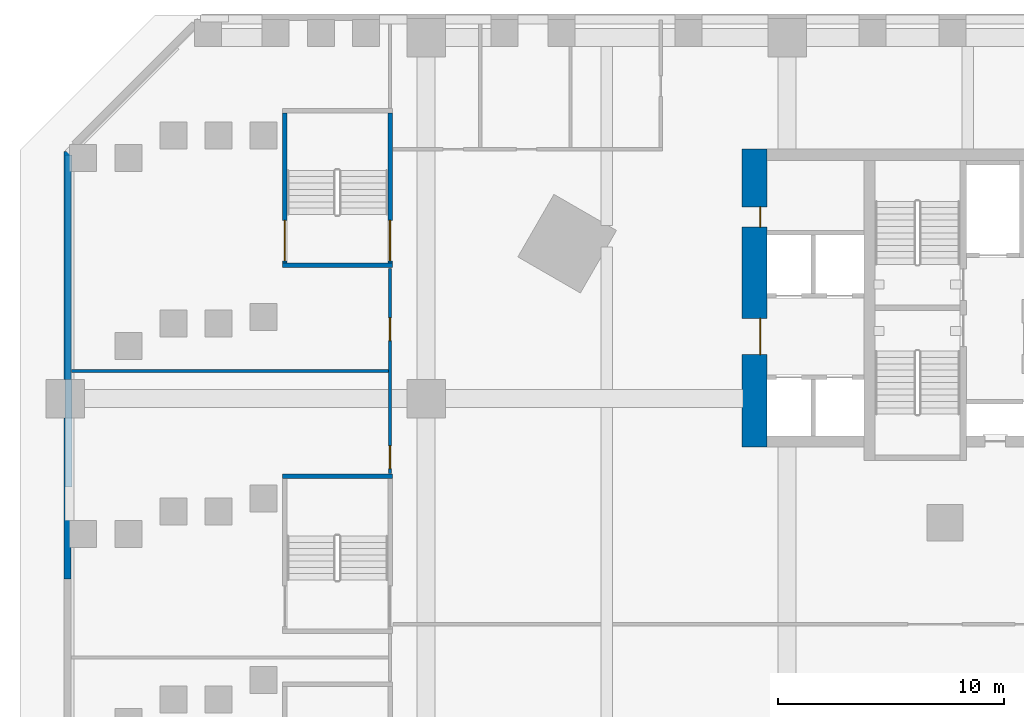
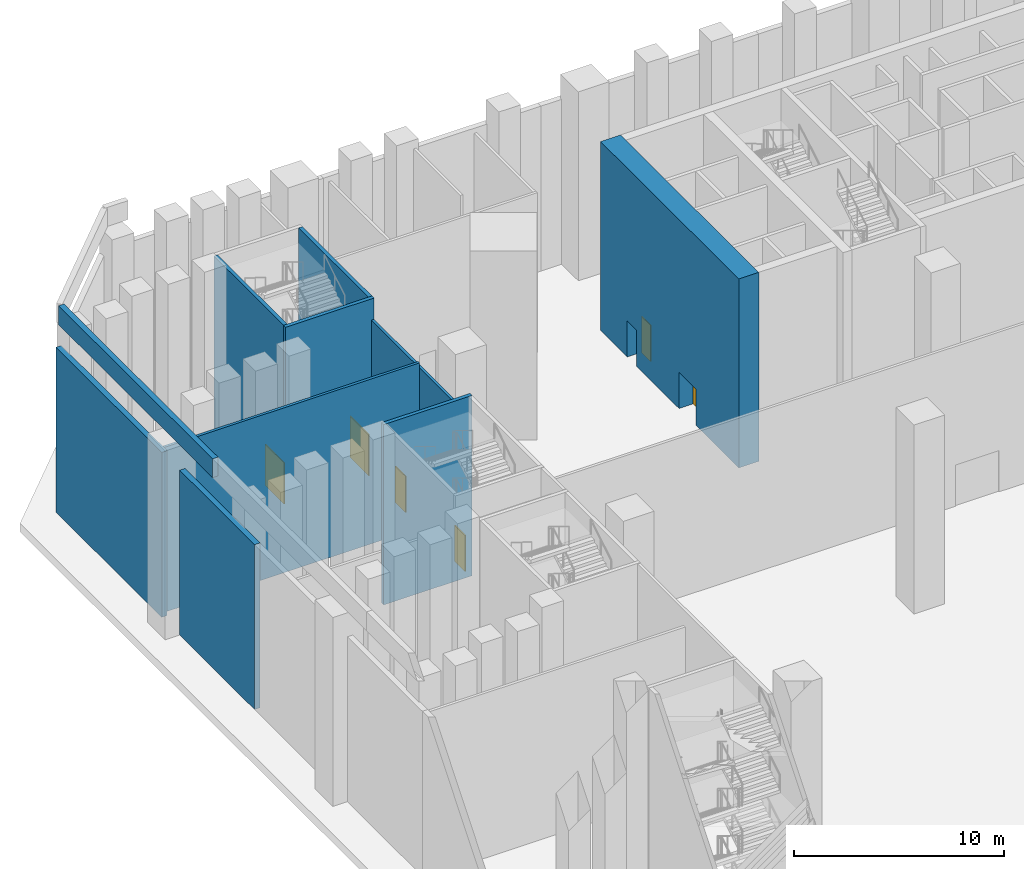
# One storey, part 7 of 31: 10 walls, 6 doors, 6 openings.
"""IFC4 building model written with IfcOpenShell, lengths in metres."""

from ifc_helpers import new_model, si_unit, direction, frame, frame_2d, origin, place, context, subcontext, project, spatial, rectangle, extrude, material, layer, layer_set, type_object, element, fill, save


model = new_model("IFC4")

# Units and contexts
model_context = context("Model", 3, precision=1e-05, world=origin(), true_north=direction((0.0, 1.0)))
body_context = subcontext(model_context, "Body", "Model", "MODEL_VIEW")
ifc_project = project(units=[si_unit("LENGTHUNIT", "METRE"), si_unit("AREAUNIT", "SQUARE_METRE"), si_unit("VOLUMEUNIT", "CUBIC_METRE"), si_unit("PLANEANGLEUNIT", "RADIAN"), si_unit("MASSUNIT", "GRAM", prefix="KILO")], contexts=[model_context])

# Site, building, storey
site_placement = place(None, origin())
site = spatial("IfcSite", under=ifc_project, at=site_placement, CompositionType="ELEMENT")
building_placement = place(site_placement, origin())
building = spatial("IfcBuilding", under=site, at=building_placement, Name="Calabash Gate Tower", CompositionType="ELEMENT")
storey_placement = place(building_placement, frame((0.0, 0.0, 9.0)))
storey = spatial("IfcBuildingStorey", under=building, at=storey_placement, Name="L01", CompositionType="ELEMENT", Elevation=9.0)

# Wall, openings, doors
ifc_material_1 = material(Name="Concrete C80/95", Category="concrete")
ifc_layer_1 = layer(ifc_material_1, 1.10009765625)
ifc_layer_set_1 = layer_set([ifc_layer_1], Name="Core wall 1100 Concrete C80/95")
wall_type_1 = type_object("IfcWallType", Name="Core wall 1100 Concrete C80/95", PredefinedType="SHEAR", material=ifc_layer_set_1)
wall_1_placement = place(storey_placement, frame((-17.449951171875, 5.8525390625, 0.0), z_axis=(0.0, 0.0, 1.0), x_axis=(0.0, 1.0, 0.0)))
wall_1 = element("IfcWall", 1, at=wall_1_placement, inside=storey, type_object=wall_type_1, Name="Core wall Z0-ENDW L01", PredefinedType="SHEAR", context=body_context, shape_type="SweptSolid", body=[
    extrude(rectangle(XDim=13.199951171875, YDim=1.10009765625, at=frame_2d((6.60009765625, 0.0))), origin(), (0.0, 0.0, 1.0), 11.0),
])
opening_1_placement = place(wall_1_placement, frame((4.10009765625, 0.0, 0.0)))
opening_1 = element("IfcOpeningElement", 2, at=opening_1_placement, cuts=wall_1, Name="Opening L01-014", PredefinedType="OPENING", context=body_context, shape_type="SweptSolid", body=[
    extrude(rectangle(XDim=1.60009765625, YDim=2.10009765625, at=frame_2d((0.800048828125, 1.050048828125))), frame((0.0, 0.56005859375, 0.0), z_axis=(0.0, -1.0, 0.0), x_axis=(1.0, 0.0, 0.0)), (0.0, 0.0, 1.0), 1.1201171875),
])
opening_2_placement = place(wall_1_placement, frame((9.75, 0.0, 0.0)))
opening_2 = element("IfcOpeningElement", 3, at=opening_2_placement, cuts=wall_1, Name="Opening L01-015", PredefinedType="OPENING", context=body_context, shape_type="SweptSolid", body=[
    extrude(rectangle(XDim=0.89990234375, YDim=2.10009765625, at=frame_2d((0.449951171875, 1.050048828125))), frame((0.0, 0.56005859375, 0.0), z_axis=(0.0, -1.0, 0.0), x_axis=(1.0, 0.0, 0.0)), (0.0, 0.0, 1.0), 1.1201171875),
])
ifc_material_2 = material(Name="Steel fire door set with fire-resisting glazing", Category="steel")
door_type_1 = type_object("IfcDoorType", Name="Double fire door D08 1600x2100 FD60", OperationType="DOUBLE_DOOR_SINGLE_SWING", PredefinedType="DOOR", material=ifc_material_2)
door_1_placement = place(opening_1_placement, origin())
door_1 = element("IfcDoor", 4, at=door_1_placement, inside=storey, type_object=door_type_1, Name="Low-rise Lift Lobby W door", OperationType="DOUBLE_DOOR_SINGLE_SWING", OverallHeight=2.10009765625, OverallWidth=1.60009765625, PredefinedType="DOOR", context=body_context, shape_type="SweptSolid", body=[
    extrude(rectangle(XDim=1.60009765625, YDim=2.10009765625, at=frame_2d((0.800048828125, 1.050048828125))), frame((0.0, -0.22509765625, 0.0), z_axis=(0.0, -1.0, 0.0), x_axis=(1.0, 0.0, 0.0)), (0.0, 0.0, 1.0), 0.050048828125),
])
fill(opening_1, door_1)
ifc_material_3 = material(Name="Steel fire door set with fire-resisting glazing", Category="steel")
door_type_2 = type_object("IfcDoorType", Name="Fire door D06 900x2100 FD60", OperationType="NOTDEFINED", PredefinedType="DOOR", material=ifc_material_3)
door_2_placement = place(opening_2_placement, origin())
door_2 = element("IfcDoor", 5, at=door_2_placement, inside=storey, type_object=door_type_2, Name="Meter Room door", OperationType="SINGLE_SWING_RIGHT", OverallHeight=2.10009765625, OverallWidth=0.89990234375, PredefinedType="DOOR", context=body_context, shape_type="SweptSolid", body=[
    extrude(rectangle(XDim=0.89990234375, YDim=2.10009765625, at=frame_2d((0.449951171875, 1.050048828125))), frame((0.0, -0.22509765625, 0.0), z_axis=(0.0, -1.0, 0.0), x_axis=(1.0, 0.0, 0.0)), (0.0, 0.0, 1.0), 0.050048828125),
])
fill(opening_2, door_2)

ifc_material_4 = material(Name="Gypsum board on steel studs, mineral wool", Category="steel")
ifc_layer_2 = layer(ifc_material_4, 0.14990234375)
ifc_layer_set_2 = layer_set([ifc_layer_2], Name="Partition 150 gypsum board")
wall_type_2 = type_object("IfcWallType", Name="Partition 150 gypsum board", PredefinedType="PARTITIONING", material=ifc_layer_set_2)
wall_2_placement = place(storey_placement, frame((-33.60009765625, 4.68994140625, 0.0), z_axis=(0.0, 0.0, 1.0), x_axis=(0.0, 1.0, 0.0)))
wall_2 = element("IfcWall", 6, at=wall_2_placement, inside=storey, type_object=wall_type_2, Name="Partition", PredefinedType="PARTITIONING", context=body_context, shape_type="SweptSolid", body=[
    extrude(rectangle(XDim=9.070068359375, YDim=0.14990234375, at=frame_2d((4.53515625, 0.0))), origin(), (0.0, 0.0, 1.0), 9.300048828125),
])
opening_3_placement = place(wall_2_placement, frame((0.2109375, 0.0, 0.0)))
opening_3 = element("IfcOpeningElement", 7, at=opening_3_placement, cuts=wall_2, Name="Opening L01-051", PredefinedType="OPENING", context=body_context, shape_type="SweptSolid", body=[
    extrude(rectangle(XDim=1.0, YDim=2.10009765625, at=frame_2d((0.5, 1.050048828125))), frame((0.0, 0.0849609375, 0.0), z_axis=(0.0, -1.0, 0.0), x_axis=(1.0, 0.0, 0.0)), (0.0, 0.0, 1.0), 0.169921875),
])
opening_4_placement = place(wall_2_placement, frame((5.885009765625, 0.0, 0.0)))
opening_4 = element("IfcOpeningElement", 8, at=opening_4_placement, cuts=wall_2, Name="Opening L01-052", PredefinedType="OPENING", context=body_context, shape_type="SweptSolid", body=[
    extrude(rectangle(XDim=1.0, YDim=2.10009765625, at=frame_2d((0.5, 1.050048828125))), frame((0.0, 0.0849609375, 0.0), z_axis=(0.0, -1.0, 0.0), x_axis=(1.0, 0.0, 0.0)), (0.0, 0.0, 1.0), 0.169921875),
])
ifc_material_5 = material(Name="Steel fire door set with fire-resisting glazing", Category="steel")
door_type_3 = type_object("IfcDoorType", Name="Fire door D11 1000x2100 FD60", OperationType="NOTDEFINED", PredefinedType="DOOR", material=ifc_material_5)
door_3_placement = place(opening_3_placement, origin())
door_3 = element("IfcDoor", 9, at=door_3_placement, inside=storey, type_object=door_type_3, Name="Show Control Room door", OperationType="SINGLE_SWING_LEFT", OverallHeight=2.10009765625, OverallWidth=1.0, PredefinedType="DOOR", context=body_context, shape_type="SweptSolid", body=[
    extrude(rectangle(XDim=1.0, YDim=2.10009765625, at=frame_2d((0.5, 1.050048828125))), frame((0.0, 0.02490234375, 0.0), z_axis=(0.0, -1.0, 0.0), x_axis=(1.0, 0.0, 0.0)), (0.0, 0.0, 1.0), 0.050048828125),
])
fill(opening_3, door_3)
door_4_placement = place(opening_4_placement, origin())
door_4 = element("IfcDoor", 10, at=door_4_placement, inside=storey, type_object=door_type_3, Name="Exhibitor Services Office door", OperationType="SINGLE_SWING_LEFT", OverallHeight=2.10009765625, OverallWidth=1.0, PredefinedType="DOOR", context=body_context, shape_type="SweptSolid", body=[
    extrude(rectangle(XDim=1.0, YDim=2.10009765625, at=frame_2d((0.5, 1.050048828125))), frame((0.0, 0.02490234375, 0.0), z_axis=(0.0, -1.0, 0.0), x_axis=(1.0, 0.0, 0.0)), (0.0, 0.0, 1.0), 0.050048828125),
])
fill(opening_4, door_4)

# Walls
wall_3_placement = place(storey_placement, frame((-47.719970703125, 9.22509765625, 0.0), z_axis=(0.0, 0.0, 1.0), x_axis=(1.0, 0.0, 0.0)))
element("IfcWall", 11, at=wall_3_placement, inside=storey, type_object=wall_type_2, Name="Partition", PredefinedType="PARTITIONING", context=body_context, shape_type="SweptSolid", body=[
    extrude(rectangle(XDim=14.044921875, YDim=0.14990234375, at=frame_2d((7.0224609375, 0.0))), origin(), (0.0, 0.0, 1.0), 9.60009765625),
])
ifc_material_6 = material(Name="Terracotta brick masonry, exposed face", Category="masonry")
ifc_layer_3 = layer(ifc_material_6, 0.300048828125)
ifc_layer_set_3 = layer_set([ifc_layer_3], Name="Podium brick wall 300")
wall_type_3 = type_object("IfcWallType", Name="Podium brick wall 300", PredefinedType="SOLIDWALL", material=ifc_layer_set_3)
wall_4_placement = place(storey_placement, frame((-47.89990234375, 18.949951171875, 0.0), z_axis=(0.0, 0.0, 1.0), x_axis=(0.0, -1.0, 0.0)))
element("IfcWall", 12, at=wall_4_placement, inside=storey, type_object=wall_type_3, Name="Podium brick wall L01 6.0.0", PredefinedType="SOLIDWALL", context=body_context, shape_type="SweptSolid", body=[
    extrude(rectangle(XDim=10.097900390625, YDim=0.300048828125, at=frame_2d((5.048828125, 0.0))), origin(), (0.0, 0.0, 1.0), 9.60009765625),
])
wall_5_placement = place(storey_placement, frame((-47.89990234375, 7.14794921875, 0.0), z_axis=(0.0, 0.0, 1.0), x_axis=(0.0, -1.0, 0.0)))
element("IfcWall", 13, at=wall_5_placement, inside=storey, type_object=wall_type_3, Name="Podium brick wall L01 6.1.0", PredefinedType="SOLIDWALL", context=body_context, shape_type="SweptSolid", body=[
    extrude(rectangle(XDim=7.14794921875, YDim=0.300048828125, at=frame_2d((3.573974609375, 0.0))), origin(), (0.0, 0.0, 1.0), 9.60009765625),
])
ifc_material_7 = material(Name="Terracotta brick masonry, exposed face", Category="masonry")
ifc_layer_4 = layer(ifc_material_7, 0.300048828125)
ifc_layer_set_4 = layer_set([ifc_layer_4], Name="Podium parapet wall 300")
wall_type_4 = type_object("IfcWallType", Name="Podium parapet wall 300", PredefinedType="PARAPET", material=ifc_layer_set_4)
wall_6_placement = place(storey_placement, frame((-47.85009765625, 18.7900390625, 11.0), z_axis=(0.0, 0.0, 1.0), x_axis=(0.0, -1.0, 0.0)))
element("IfcWall", 14, at=wall_6_placement, inside=storey, type_object=wall_type_4, Name="Podium parapet L01 6.0.0", PredefinedType="PARAPET", context=body_context, shape_type="SweptSolid", body=[
    extrude(rectangle(XDim=14.697509765625, YDim=0.300048828125, at=frame_2d((7.3486328125, 0.0))), origin(), (0.0, 0.0, 1.0), 1.10009765625),
])
ifc_material_8 = material(Name="Concrete C40/50", Category="concrete")
ifc_layer_5 = layer(ifc_material_8, 0.199951171875)
ifc_layer_set_5 = layer_set([ifc_layer_5], Name="Stair wall 200 Concrete C40/50")
wall_type_5 = type_object("IfcWallType", Name="Stair wall 200 Concrete C40/50", PredefinedType="SOLIDWALL", material=ifc_layer_set_5)
for number, where, z_axis, x_axis, name in (
    (15, (-38.3701171875, 4.550048828125, 0.0), (0.0, 0.0, 1.0), (1.0, 0.0, 0.0), "Stair wall"),
    (16, (-38.3701171875, 13.89990234375, 0.0), (0.0, 0.0, 1.0), (1.0, 0.0, 0.0), "Stair wall"),
):
    element("IfcWall", number, at=place(storey_placement, frame(where, z_axis=z_axis, x_axis=x_axis)), inside=storey, type_object=wall_type_5, Name=name, PredefinedType="SOLIDWALL", context=body_context, shape_type="SweptSolid", body=[
        extrude(rectangle(XDim=4.8701171875, YDim=0.199951171875, at=frame_2d((2.43505859375, 0.0))), origin(), (0.0, 0.0, 1.0), 10.5),
    ])

# Wall, opening, door
wall_7_placement = place(storey_placement, frame((-38.27001953125, 14.0, 0.0), z_axis=(0.0, 0.0, 1.0), x_axis=(0.0, 1.0, 0.0)))
wall_7 = element("IfcWall", 17, at=wall_7_placement, inside=storey, type_object=wall_type_5, Name="Stair wall", PredefinedType="SOLIDWALL", context=body_context, shape_type="SweptSolid", body=[
    extrude(rectangle(XDim=6.64990234375, YDim=0.199951171875, at=frame_2d((3.324951171875, 0.0))), origin(), (0.0, 0.0, 1.0), 10.5),
])
opening_5_placement = place(wall_7_placement, frame((0.10009765625, 0.0, 0.0)))
opening_5 = element("IfcOpeningElement", 18, at=opening_5_placement, cuts=wall_7, Name="Opening L01-027", PredefinedType="OPENING", context=body_context, shape_type="SweptSolid", body=[
    extrude(rectangle(XDim=1.800048828125, YDim=2.39990234375, at=frame_2d((0.89990234375, 1.199951171875))), frame((0.0, 0.10986328125, 0.0), z_axis=(0.0, -1.0, 0.0), x_axis=(1.0, 0.0, 0.0)), (0.0, 0.0, 1.0), 0.219970703125),
])
ifc_material_9 = material(Name="Steel fire door set with fire-resisting glazing", Category="steel")
door_type_4 = type_object("IfcDoorType", Name="Double fire door D16 1800x2400 FD90", OperationType="DOUBLE_DOOR_SINGLE_SWING", PredefinedType="DOOR", material=ifc_material_9)
door_5_placement = place(opening_5_placement, origin())
door_5 = element("IfcDoor", 19, at=door_5_placement, inside=storey, type_object=door_type_4, Name="Exit stair door PS5", OperationType="DOUBLE_DOOR_SINGLE_SWING", OverallHeight=2.39990234375, OverallWidth=1.800048828125, PredefinedType="DOOR", context=body_context, shape_type="SweptSolid", body=[
    extrude(rectangle(XDim=1.800048828125, YDim=2.39990234375, at=frame_2d((0.89990234375, 1.199951171875))), frame((0.0, 0.02490234375, 0.0), z_axis=(0.0, -1.0, 0.0), x_axis=(1.0, 0.0, 0.0)), (0.0, 0.0, 1.0), 0.050048828125),
])
fill(opening_5, door_5)

wall_8_placement = place(storey_placement, frame((-33.60009765625, 14.0, 0.0), z_axis=(0.0, 0.0, 1.0), x_axis=(0.0, 1.0, 0.0)))
wall_8 = element("IfcWall", 20, at=wall_8_placement, inside=storey, type_object=wall_type_5, Name="Stair wall", PredefinedType="SOLIDWALL", context=body_context, shape_type="SweptSolid", body=[
    extrude(rectangle(XDim=6.64990234375, YDim=0.199951171875, at=frame_2d((3.324951171875, 0.0))), origin(), (0.0, 0.0, 1.0), 10.5),
])
opening_6_placement = place(wall_8_placement, frame((0.10009765625, 0.0, 0.0)))
opening_6 = element("IfcOpeningElement", 21, at=opening_6_placement, cuts=wall_8, Name="Opening L01-026", PredefinedType="OPENING", context=body_context, shape_type="SweptSolid", body=[
    extrude(rectangle(XDim=1.800048828125, YDim=2.39990234375, at=frame_2d((0.89990234375, 1.199951171875))), frame((0.0, 0.10986328125, 0.0), z_axis=(0.0, -1.0, 0.0), x_axis=(1.0, 0.0, 0.0)), (0.0, 0.0, 1.0), 0.219970703125),
])
door_6_placement = place(opening_6_placement, origin())
door_6 = element("IfcDoor", 22, at=door_6_placement, inside=storey, type_object=door_type_4, Name="Exit stair door PS5", OperationType="DOUBLE_DOOR_SINGLE_SWING", OverallHeight=2.39990234375, OverallWidth=1.800048828125, PredefinedType="DOOR", context=body_context, shape_type="SweptSolid", body=[
    extrude(rectangle(XDim=1.800048828125, YDim=2.39990234375, at=frame_2d((0.89990234375, 1.199951171875))), frame((0.0, 0.02490234375, 0.0), z_axis=(0.0, -1.0, 0.0), x_axis=(1.0, 0.0, 0.0)), (0.0, 0.0, 1.0), 0.050048828125),
])
fill(opening_6, door_6)

save(model, "model.ifc")
